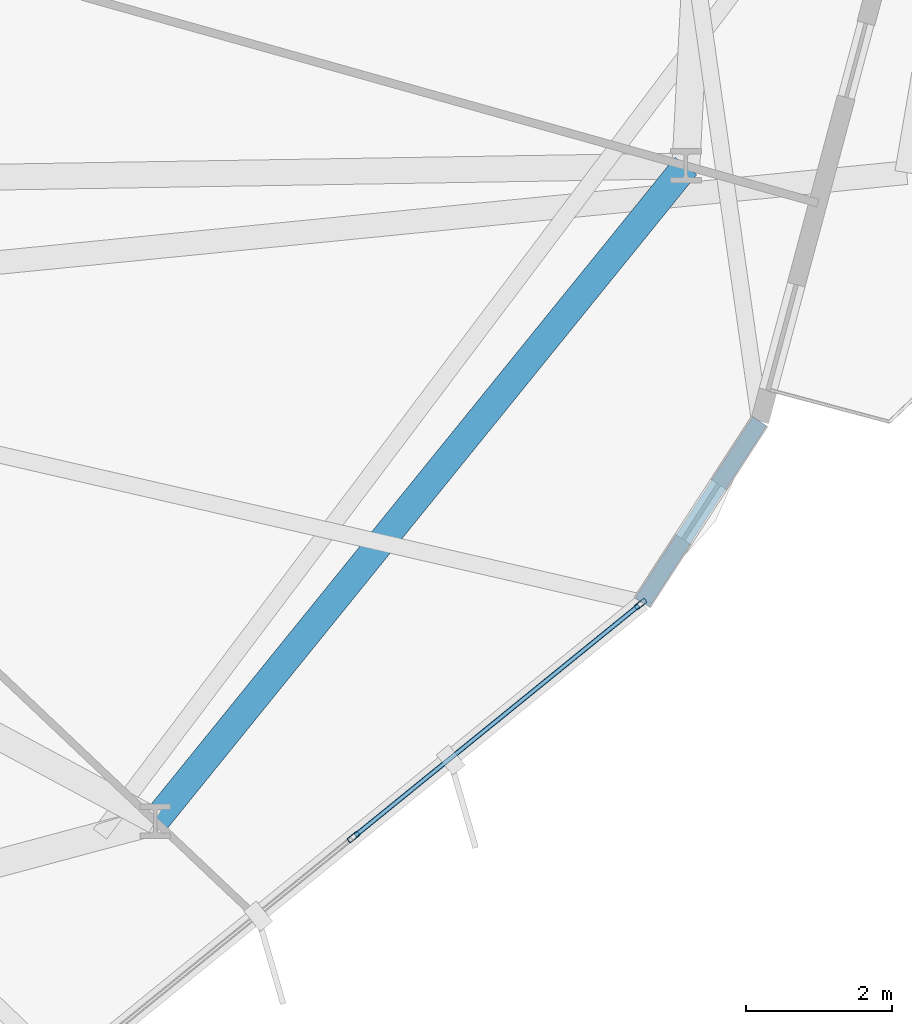
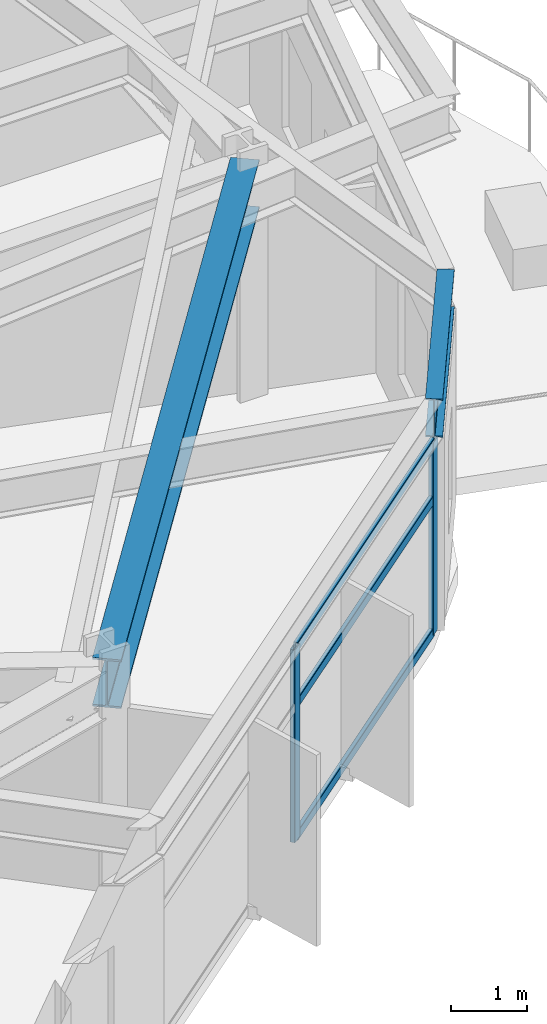
# One storey, part 9 of 23: 5 members, 2 beams, 1 element without a shape of its own.
"""IFC4 building model written with IfcOpenShell, lengths in metres."""

from ifc_helpers import new_model, si_unit, direction, frame, origin, origin_2d, place, context, subcontext, project, spatial, hollow_rectangle, i_section, extrude, material, layer, layer_set, material_profile, profile_set, type_object, element, aggregate, save


model = new_model("IFC4")

# Units and contexts
model_context = context("Model", 3, precision=1e-05, world=origin(), true_north=direction((0.0, 1.0)))
body_context = subcontext(model_context, "Body", "Model", "MODEL_VIEW")
ifc_project = project(units=[si_unit("LENGTHUNIT", "METRE"), si_unit("AREAUNIT", "SQUARE_METRE"), si_unit("VOLUMEUNIT", "CUBIC_METRE"), si_unit("PLANEANGLEUNIT", "RADIAN"), si_unit("MASSUNIT", "GRAM", prefix="KILO")], contexts=[model_context])

# Site, building, storey
site_placement = place(None, origin())
site = spatial("IfcSite", under=ifc_project, at=site_placement, CompositionType="ELEMENT")
building_placement = place(site_placement, origin())
building = spatial("IfcBuilding", under=site, at=building_placement, Name="Soratama Intermodal Tower", CompositionType="ELEMENT")
storey_placement = place(building_placement, frame((0.0, 0.0, 38.60009765625)))
storey = spatial("IfcBuildingStorey", under=building, at=storey_placement, Name="L08", CompositionType="ELEMENT", Elevation=38.60009765625)

# Beams
ifc_material_1 = material(Name="Structural steel ASTM A992 Grade 50", Category="steel")
ifc_material_profile_1 = material_profile(ifc_material_1, i_section(OverallWidth=0.382080078125, OverallDepth=0.779052734375, WebThickness=0.01806640625, FlangeThickness=0.030029296875, FilletRadius=0.01806640625, at=origin_2d()), Name="W30X191")
ifc_profile_set_1 = profile_set([ifc_material_profile_1], Name="Structural steel ASTM A992 Grade 50")
beam_type_1 = type_object("IfcBeamType", Name="BM-RING-W30X191", PredefinedType="BEAM", material=ifc_profile_set_1)
beam_1_placement = place(storey_placement, frame((55.196044921875, 9.300048828125, 3.310302734375), z_axis=(0.629334198857, 0.777134779912, 0.0), x_axis=(-0.777134779912, 0.629334198857, 0.0)))
element("IfcBeam", 1, at=beam_1_placement, inside=storey, type_object=beam_type_1, Name="BM-L08-RING-09", PredefinedType="BEAM", context=body_context, shape_type="SweptSolid", body=[
    extrude(i_section(OverallWidth=0.382080078125, OverallDepth=0.779052734375, WebThickness=0.01806640625, FlangeThickness=0.030029296875, FilletRadius=0.01806640625, at=origin_2d()), origin(), (0.0, 0.0, 1.0), 11.5693359375),
])
ifc_material_2 = material(Name="Structural steel ASTM A992 Grade 50", Category="steel")
ifc_material_profile_2 = material_profile(ifc_material_2, i_section(OverallWidth=0.22900390625, OverallDepth=0.612060546875, WebThickness=0.011962890625, FlangeThickness=0.01953125, FilletRadius=0.012939453125, at=origin_2d()), Name="W24X84")
ifc_profile_set_2 = profile_set([ifc_material_profile_2], Name="Structural steel ASTM A992 Grade 50")
beam_type_2 = type_object("IfcBeamType", Name="BM-SPN-W24X84", PredefinedType="SPANDREL", material=ifc_profile_set_2)
beam_2_placement = place(storey_placement, frame((61.876953125, 12.298095703125, 3.393798828125), z_axis=(0.543845003725, 0.839185683817, 0.0), x_axis=(-0.839185683817, 0.543845003725, 0.0)))
element("IfcBeam", 2, at=beam_2_placement, inside=storey, type_object=beam_type_2, Name="BS-L08-CRN09", PredefinedType="SPANDREL", context=body_context, shape_type="SweptSolid", body=[
    extrude(i_section(OverallWidth=0.22900390625, OverallDepth=0.612060546875, WebThickness=0.011962890625, FlangeThickness=0.01953125, FilletRadius=0.012939453125, at=origin_2d()), origin(), (0.0, 0.0, 1.0), 2.966064453125),
])

# Curtain wall, members
ifc_material_3 = material(Name="Double-glazed aluminium curtain wall", Category="aluminium")
ifc_layer = layer(ifc_material_3, 0.159912109375)
ifc_layer_set = layer_set([ifc_layer], Name="Double-glazed aluminium curtain wall")
curtain_wall_type = type_object("IfcCurtainWallType", Name="CW-SYS-2", PredefinedType="NOTDEFINED", material=ifc_layer_set)
curtain_wall_placement = place(storey_placement, origin())
curtain_wall = element("IfcCurtainWall", 3, at=curtain_wall_placement, inside=storey, type_object=curtain_wall_type, Name="L08 Faceted Curtain Wall F09", PredefinedType="NOTDEFINED")
ifc_material_4 = material(Name="Anodised aluminium AA 6063-T6", Category="aluminium")
ifc_material_profile_3 = material_profile(ifc_material_4, hollow_rectangle(XDim=0.074951171875, YDim=0.179931640625, WallThickness=0.006103515625, InnerFilletRadius=0.006103515625, OuterFilletRadius=0.011962890625, at=origin_2d()), Name="CWM180X75X6")
ifc_profile_set_3 = profile_set([ifc_material_profile_3], Name="Anodised aluminium AA 6063-T6")
member_type_1 = type_object("IfcMemberType", Name="MT-CWM-2", PredefinedType="MULLION", material=ifc_profile_set_3)
member_1_placement = place(storey_placement, frame((57.91650390625, 9.08349609375, 0.0), z_axis=(0.0, 0.0, 1.0), x_axis=(-0.630137110641, 0.776483883795, 0.0)))
member_1 = element("IfcMember", 4, at=member_1_placement, type_object=member_type_1, Name="CW-2 mullion 2", PredefinedType="MULLION", context=body_context, shape_type="SweptSolid", body=[
    extrude(hollow_rectangle(XDim=0.074951171875, YDim=0.179931640625, WallThickness=0.006103515625, InnerFilletRadius=0.006103515625, OuterFilletRadius=0.011962890625, at=origin_2d()), origin(), (0.0, 0.0, 1.0), 3.078857421875),
])
member_2_placement = place(storey_placement, frame((61.853759765625, 12.27880859375, 0.0), z_axis=(0.0, 0.0, 1.0), x_axis=(-0.630137110641, 0.776483883795, 0.0)))
member_2 = element("IfcMember", 5, at=member_2_placement, type_object=member_type_1, Name="CW-2 mullion 3", PredefinedType="MULLION", context=body_context, shape_type="SweptSolid", body=[
    extrude(hollow_rectangle(XDim=0.074951171875, YDim=0.179931640625, WallThickness=0.006103515625, InnerFilletRadius=0.006103515625, OuterFilletRadius=0.011962890625, at=origin_2d()), origin(), (0.0, 0.0, 1.0), 3.078857421875),
])
ifc_material_5 = material(Name="Anodised aluminium AA 6063-T6", Category="aluminium")
ifc_material_profile_4 = material_profile(ifc_material_5, hollow_rectangle(XDim=0.06494140625, YDim=0.14990234375, WallThickness=0.0048828125, InnerFilletRadius=0.0048828125, OuterFilletRadius=0.010009765625, at=origin_2d()), Name="CWT150X65X5")
ifc_profile_set_4 = profile_set([ifc_material_profile_4], Name="Anodised aluminium AA 6063-T6")
member_type_2 = type_object("IfcMemberType", Name="TT-CWT-1", PredefinedType="USERDEFINED", material=ifc_profile_set_4)
member_3_placement = place(storey_placement, frame((57.939697265625, 9.1025390625, 0.02978515625), z_axis=(0.776495410243, 0.630122906957, 0.0), x_axis=(-0.630122906957, 0.776495410243, 0.0)))
member_3 = element("IfcMember", 6, at=member_3_placement, type_object=member_type_2, Name="CW-2 transom 2.1", ObjectType="TRANSOM", PredefinedType="USERDEFINED", context=body_context, shape_type="SweptSolid", body=[
    extrude(hollow_rectangle(XDim=0.06494140625, YDim=0.14990234375, WallThickness=0.0048828125, InnerFilletRadius=0.0048828125, OuterFilletRadius=0.010009765625, at=origin_2d()), origin(), (0.0, 0.0, 1.0), 5.010498046875),
])
member_4_placement = place(storey_placement, frame((57.939697265625, 9.1025390625, 2.14990234375), z_axis=(0.776495410243, 0.630122906957, 0.0), x_axis=(-0.630122906957, 0.776495410243, 0.0)))
member_4 = element("IfcMember", 7, at=member_4_placement, type_object=member_type_2, Name="CW-2 transom 2.2", ObjectType="TRANSOM", PredefinedType="USERDEFINED", context=body_context, shape_type="SweptSolid", body=[
    extrude(hollow_rectangle(XDim=0.06494140625, YDim=0.14990234375, WallThickness=0.0048828125, InnerFilletRadius=0.0048828125, OuterFilletRadius=0.010009765625, at=origin_2d()), origin(), (0.0, 0.0, 1.0), 5.010498046875),
])
member_5_placement = place(storey_placement, frame((57.939697265625, 9.1025390625, 3.048828125), z_axis=(0.776495410243, 0.630122906957, 0.0), x_axis=(-0.630122906957, 0.776495410243, 0.0)))
member_5 = element("IfcMember", 8, at=member_5_placement, type_object=member_type_2, Name="CW-2 transom 2.3", ObjectType="TRANSOM", PredefinedType="USERDEFINED", context=body_context, shape_type="SweptSolid", body=[
    extrude(hollow_rectangle(XDim=0.06494140625, YDim=0.14990234375, WallThickness=0.0048828125, InnerFilletRadius=0.0048828125, OuterFilletRadius=0.010009765625, at=origin_2d()), origin(), (0.0, 0.0, 1.0), 5.010498046875),
])
aggregate(curtain_wall, [member_1, member_2, member_3, member_4, member_5])

save(model, "model.ifc")
